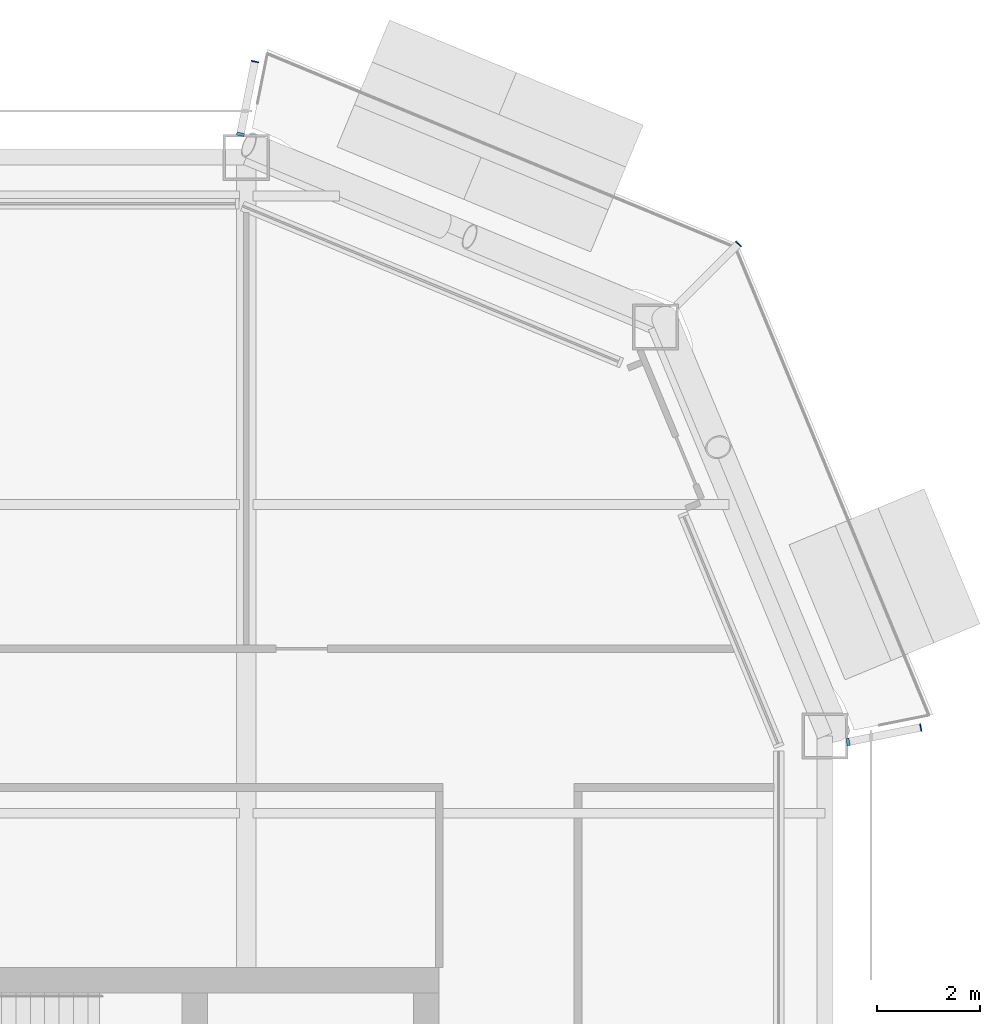
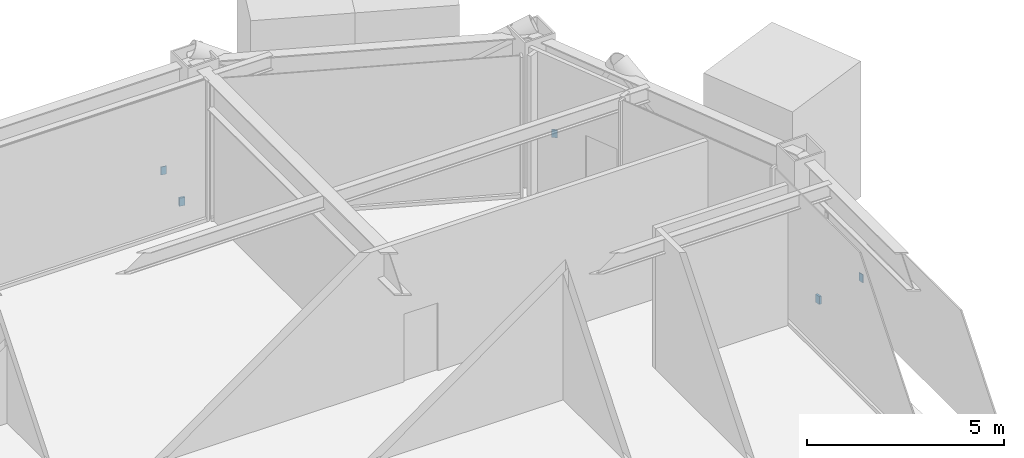
# One storey, part 18 of 24: 5 discrete accessories.
"""IFC4 building model written with IfcOpenShell, lengths in metres."""

from ifc_helpers import new_model, si_unit, direction, frame, origin, origin_2d, place, context, subcontext, project, spatial, rectangle, extrude, material, layer, layer_set, type_object, element, save


model = new_model("IFC4")

# Units and contexts
model_context = context("Model", 3, precision=1e-05, world=origin(), true_north=direction((0.0, 1.0)))
body_context = subcontext(model_context, "Body", "Model", "MODEL_VIEW")
ifc_project = project(units=[si_unit("LENGTHUNIT", "METRE"), si_unit("AREAUNIT", "SQUARE_METRE"), si_unit("VOLUMEUNIT", "CUBIC_METRE"), si_unit("PLANEANGLEUNIT", "RADIAN"), si_unit("MASSUNIT", "GRAM", prefix="KILO")], contexts=[model_context])

# Site, building, storey
site_placement = place(None, origin())
site = spatial("IfcSite", under=ifc_project, at=site_placement, CompositionType="ELEMENT")
building_placement = place(site_placement, origin())
building = spatial("IfcBuilding", under=site, at=building_placement, Name="Siwar Civic Tower", CompositionType="ELEMENT")
storey_placement = place(building_placement, frame((0.0, 0.0, 149.699951171875)))
storey = spatial("IfcBuildingStorey", under=building, at=storey_placement, Name="L32", CompositionType="ELEMENT", Elevation=149.699951171875)

# Discrete accessories
ifc_material_1 = material(Name="Stainless steel 316", Category="steel")
discrete_accessory_type_1 = type_object("IfcDiscreteAccessoryType", Name="ENV-BRACKET", PredefinedType="BRACKET", material=ifc_material_1)
for number, where, z_axis, x_axis, name in (
    (1, (29.699951171875, 17.885498046875, -0.39990234375), (0.0, 0.0, 1.0), (0.980785280403, 0.195090322016, 0.0), "Bracket balcony cantilever beam NE 1"),
    (2, (17.885498046875, 29.699951171875, -0.39990234375), (0.0, 0.0, 1.0), (0.195090322016, 0.980785280403, 0.0), "Bracket balcony cantilever beam NE 3"),
):
    element("IfcDiscreteAccessory", number, at=place(storey_placement, frame(where, z_axis=z_axis, x_axis=x_axis)), inside=storey, type_object=discrete_accessory_type_1, Name=name, PredefinedType="BRACKET", context=body_context, shape_type="SweptSolid", body=[
        extrude(rectangle(XDim=0.06005859375, YDim=0.14990234375, at=origin_2d()), origin(), (0.0, 0.0, 1.0), 0.25),
    ])
ifc_material_2 = material(Name="Steel S355", Category="steel")
ifc_layer = layer(ifc_material_2, 0.02001953125)
ifc_layer_set = layer_set([ifc_layer], Name="Steel S355")
discrete_accessory_type_2 = type_object("IfcDiscreteAccessoryType", Name="STR-END-CAP", PredefinedType="USERDEFINED", material=ifc_layer_set)
for number, where, z_axis, x_axis, name in (
    (3, (31.114501953125, 18.1669921875, -0.39990234375), (0.0, 0.0, 1.0), (0.980785280413, 0.195090321965, 0.0), "End cap plate Balcony cantilever beam NE 1"),
    (4, (27.5693359375, 27.5693359375, -0.39990234375), (0.0, 0.0, 1.0), (0.707106781187, 0.707106781187, 0.0), "End cap plate Balcony cantilever beam NE 2"),
    (5, (18.1669921875, 31.114501953125, -0.39990234375), (0.0, 0.0, 1.0), (0.195090321965, 0.980785280413, 0.0), "End cap plate Balcony cantilever beam NE 3"),
):
    element("IfcDiscreteAccessory", number, at=place(storey_placement, frame(where, z_axis=z_axis, x_axis=x_axis)), inside=storey, type_object=discrete_accessory_type_2, Name=name, ObjectType="END CAP PLATE", PredefinedType="USERDEFINED", context=body_context, shape_type="SweptSolid", body=[
        extrude(rectangle(XDim=0.02001953125, YDim=0.14990234375, at=origin_2d()), origin(), (0.0, 0.0, 1.0), 0.25),
    ])

save(model, "model.ifc")
